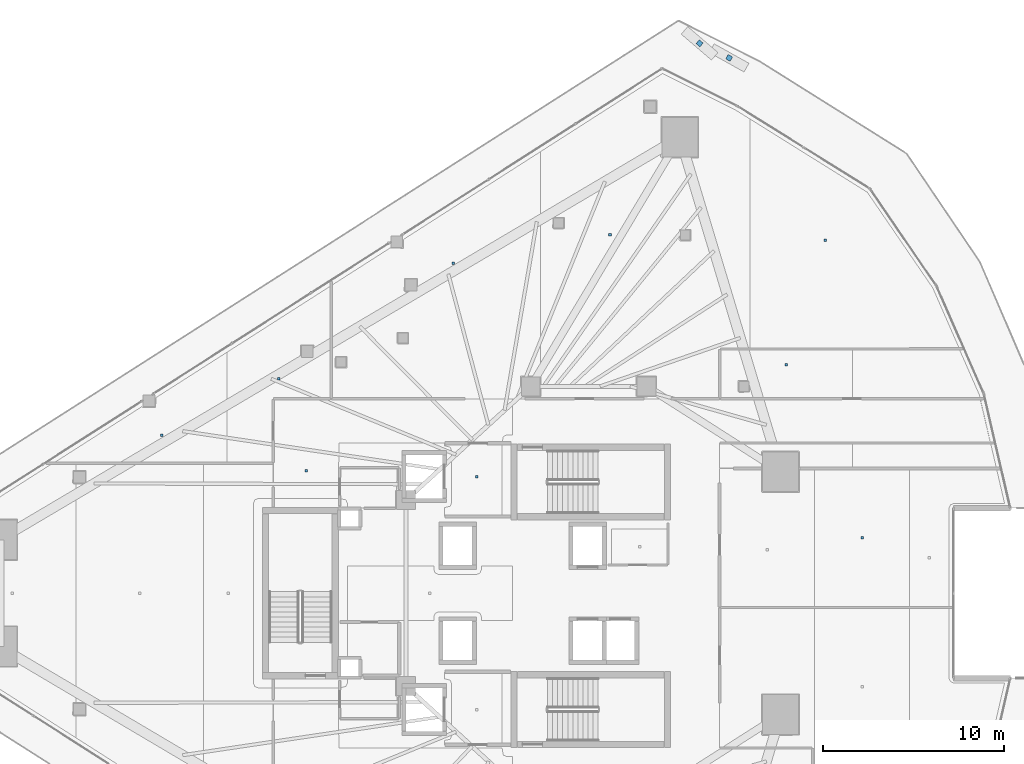
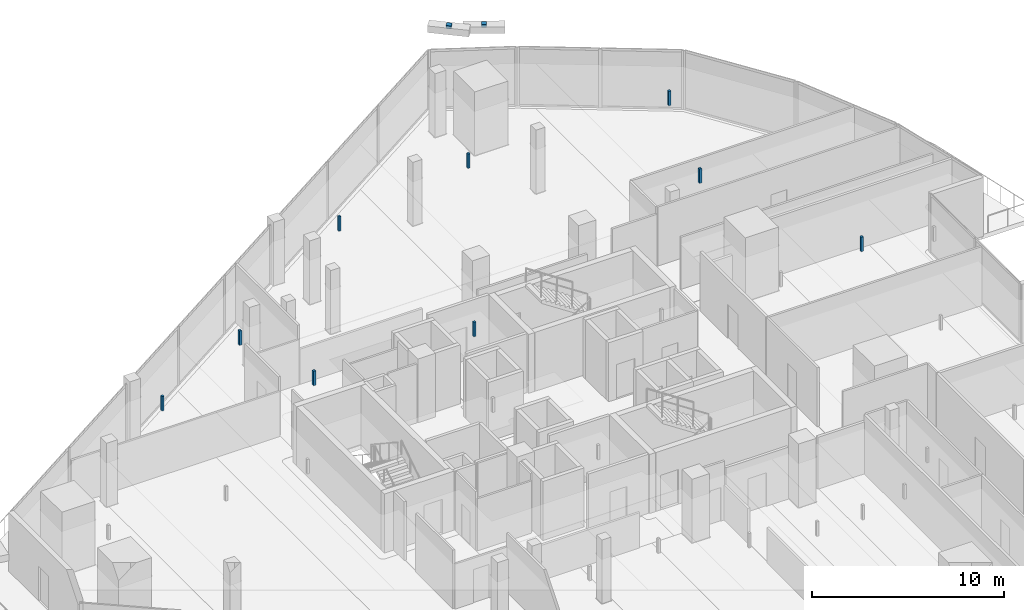
# One storey, part 29 of 36: 11 discrete accessories.
"""IFC4 building model written with IfcOpenShell, lengths in metres."""

from ifc_helpers import new_model, si_unit, direction, frame, origin, origin_2d, place, context, subcontext, project, spatial, rectangle, extrude, material, type_object, element, save


model = new_model("IFC4")

# Units and contexts
model_context = context("Model", 3, precision=1e-05, world=origin(), true_north=direction((0.0, 1.0)))
body_context = subcontext(model_context, "Body", "Model", "MODEL_VIEW")
ifc_project = project(units=[si_unit("LENGTHUNIT", "METRE"), si_unit("AREAUNIT", "SQUARE_METRE"), si_unit("VOLUMEUNIT", "CUBIC_METRE"), si_unit("PLANEANGLEUNIT", "RADIAN"), si_unit("MASSUNIT", "GRAM", prefix="KILO")], contexts=[model_context])

# Site, building, storey
site_placement = place(None, origin())
site = spatial("IfcSite", under=ifc_project, at=site_placement, CompositionType="ELEMENT")
building_placement = place(site_placement, origin())
building = spatial("IfcBuilding", under=site, at=building_placement, Name="Qorvath Tower", CompositionType="ELEMENT")
storey_placement = place(building_placement, frame((0.0, 0.0, 170.550048828125)))
storey = spatial("IfcBuildingStorey", under=building, at=storey_placement, Name="L39", CompositionType="ELEMENT", Elevation=170.550048828125)

# Discrete accessories
ifc_material = material(Name="Galvanised steel bracket", Category="steel")
discrete_accessory_type = type_object("IfcDiscreteAccessoryType", Name="DA-BRACKET", PredefinedType="BRACKET", material=ifc_material)
for number, where, z_axis, x_axis, name in (
    (1, (-12.61767578125, 29.634033203125, 3.60986328125), (0.0, 0.0, 1.0), (-0.872959539628, 0.487792622097, 0.0), "Louvre Wave Support Bracket L39-04"),
    (2, (-14.252197265625, 30.44189453125, 3.60986328125), (0.0, 0.0, 1.0), (-0.759933094468, 0.650001301485, 0.0), "Louvre Wave Support Bracket L39-05"),
):
    element("IfcDiscreteAccessory", number, at=place(storey_placement, frame(where, z_axis=z_axis, x_axis=x_axis)), inside=storey, type_object=discrete_accessory_type, Name=name, PredefinedType="NOTDEFINED", context=body_context, shape_type="SweptSolid", body=[
        extrude(rectangle(XDim=0.280029296875, YDim=0.280029296875, at=origin_2d()), origin(), (0.0, 0.0, 1.0), 0.199951171875),
    ])
for number, where, z_axis, x_axis, name in (
    (3, (-26.590087890625, 6.449951171875, 2.85986328125), (0.0, 0.0, 1.0), (1.0, 0.0, 0.0), "Acoustic Ceiling Suspension Hanger T1-L39-001"),
    (4, (-36.040283203125, 6.782470703125, 2.85986328125), (0.0, 0.0, 1.0), (1.0, 0.0, 0.0), "Acoustic Ceiling Suspension Hanger T1-L39-008"),
    (5, (-27.88525390625, 18.260009765625, 2.85986328125), (0.0, 0.0, 1.0), (1.0, 0.0, 0.0), "Acoustic Ceiling Suspension Hanger T1-L39-010"),
    (6, (-19.212646484375, 19.83935546875, 2.85986328125), (0.0, 0.0, 1.0), (1.0, 0.0, 0.0), "Acoustic Ceiling Suspension Hanger T1-L39-011"),
    (7, (-7.3056640625, 19.541748046875, 2.85986328125), (0.0, 0.0, 1.0), (1.0, 0.0, 0.0), "Acoustic Ceiling Suspension Hanger T1-L39-012"),
    (8, (-5.251220703125, 3.06201171875, 2.85986328125), (0.0, 0.0, 1.0), (1.0, 0.0, 0.0), "Acoustic Ceiling Suspension Hanger T1-L39-028"),
    (9, (-9.4462890625, 12.634765625, 2.85986328125), (0.0, 0.0, 1.0), (1.0, 0.0, 0.0), "Acoustic Ceiling Suspension Hanger T1-L39-030"),
    (10, (-44.02587890625, 8.7353515625, 2.85986328125), (0.0, 0.0, 1.0), (1.0, 0.0, 0.0), "Acoustic Ceiling Suspension Hanger T1-L39-036"),
    (11, (-37.547119140625, 11.87939453125, 2.85986328125), (0.0, 0.0, 1.0), (1.0, 0.0, 0.0), "Acoustic Ceiling Suspension Hanger T1-L39-037"),
):
    element("IfcDiscreteAccessory", number, at=place(storey_placement, frame(where, z_axis=z_axis, x_axis=x_axis)), inside=storey, type_object=discrete_accessory_type, Name=name, PredefinedType="NOTDEFINED", context=body_context, shape_type="SweptSolid", body=[
        extrude(rectangle(XDim=0.139892578125, YDim=0.139892578125, at=origin_2d()), origin(), (0.0, 0.0, 1.0), 0.920166015625),
    ])

save(model, "model.ifc")
